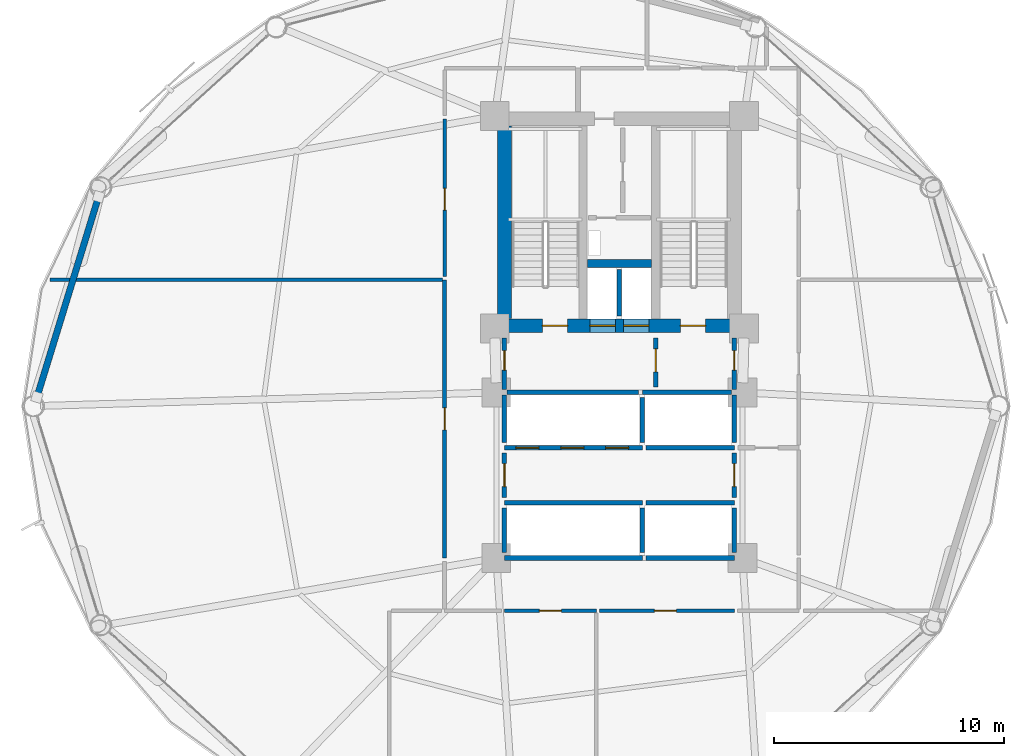
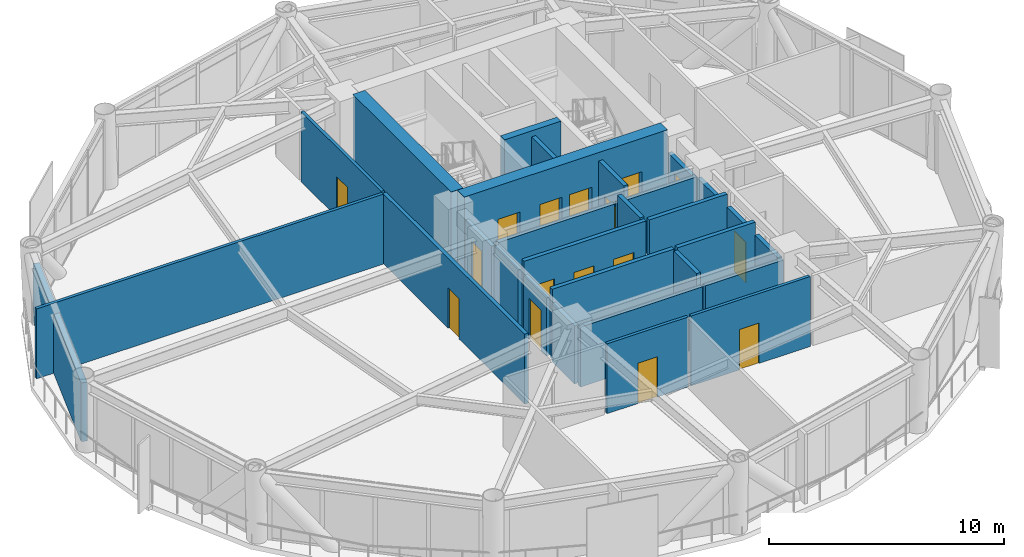
# One storey, part 22 of 26: 29 walls, 16 doors, 16 openings.
"""IFC4 building model written with IfcOpenShell, lengths in metres."""

from ifc_helpers import new_model, si_unit, direction, frame, frame_2d, origin, place, context, subcontext, project, spatial, rectangle, extrude, material, layer, layer_set, type_object, element, fill, save


model = new_model("IFC4")

# Units and contexts
model_context = context("Model", 3, precision=1e-05, world=origin(), true_north=direction((0.0, 1.0)))
body_context = subcontext(model_context, "Body", "Model", "MODEL_VIEW")
ifc_project = project(units=[si_unit("LENGTHUNIT", "METRE"), si_unit("AREAUNIT", "SQUARE_METRE"), si_unit("VOLUMEUNIT", "CUBIC_METRE"), si_unit("PLANEANGLEUNIT", "RADIAN"), si_unit("MASSUNIT", "GRAM", prefix="KILO")], contexts=[model_context])

# Site, building, storey
site_placement = place(None, origin())
site = spatial("IfcSite", under=ifc_project, at=site_placement, CompositionType="ELEMENT")
building_placement = place(site_placement, origin())
building = spatial("IfcBuilding", under=site, at=building_placement, Name="Varnakorn Sky Granary", CompositionType="ELEMENT")
storey_placement = place(building_placement, frame((0.0, 0.0, 47.10009765625)))
storey = spatial("IfcBuildingStorey", under=building, at=storey_placement, Name="L11", CompositionType="ELEMENT", Elevation=47.10009765625)

# Wall
ifc_material_1 = material(Name="Concrete C50/60", Category="concrete")
ifc_layer_1 = layer(ifc_material_1, 0.35009765625, Name="Concrete C50/60")
ifc_layer_set_1 = layer_set([ifc_layer_1], Name="Concrete C50/60")
wall_type_1 = type_object("IfcWallType", Name="WT-CW-INT-350", PredefinedType="SHEAR", material=ifc_layer_set_1)
wall_1_placement = place(storey_placement, frame((1.610107421875, 6.199951171875, 0.0), z_axis=(0.0, 0.0, 1.0), x_axis=(1.0, 0.0, 0.0)))
element("IfcWall", 1, at=wall_1_placement, inside=storey, type_object=wall_type_1, Name="Core Lift Shaft Cross Wall L11", PredefinedType="SHEAR", context=body_context, shape_type="SweptSolid", body=[
    extrude(rectangle(XDim=2.77978515625, YDim=0.35009765625, at=frame_2d((1.389892578125, 0.0))), origin(), (0.0, 0.0, 1.0), 3.891845703125),
])

# Wall, openings, doors
ifc_material_2 = material(Name="Concrete C60/75", Category="concrete")
ifc_layer_2 = layer(ifc_material_2, 0.60009765625, Name="Concrete C60/75")
ifc_layer_set_2 = layer_set([ifc_layer_2], Name="Concrete C60/75")
wall_type_2 = type_object("IfcWallType", Name="WT-CW-SHEAR-600", PredefinedType="SHEAR", material=ifc_layer_set_2)
wall_2_placement = place(storey_placement, frame((-2.0, 3.5, 0.0), z_axis=(0.0, 0.0, 1.0), x_axis=(1.0, 0.0, 0.0)))
wall_2 = element("IfcWall", 2, at=wall_2_placement, inside=storey, type_object=wall_type_2, Name="Core South Shear Wall L11", PredefinedType="SHEAR", context=body_context, shape_type="SweptSolid", body=[
    extrude(rectangle(XDim=10.0, YDim=0.60009765625, at=frame_2d((5.0, 0.0))), origin(), (0.0, 0.0, 1.0), 3.891845703125),
])
opening_1_placement = place(wall_2_placement, frame((1.64990234375, 0.0, 0.0)))
opening_1 = element("IfcOpeningElement", 3, at=opening_1_placement, cuts=wall_2, Name="Opening FD-90", PredefinedType="OPENING", context=body_context, shape_type="SweptSolid", body=[
    extrude(rectangle(XDim=1.10009765625, YDim=2.14990234375, at=frame_2d((0.550048828125, 1.074951171875))), frame((0.0, 0.31005859375, 0.0), z_axis=(0.0, -1.0, 0.0), x_axis=(1.0, 0.0, 0.0)), (0.0, 0.0, 1.0), 0.6201171875),
])
opening_2_placement = place(wall_2_placement, frame((7.64990234375, 0.0, 0.0)))
opening_2 = element("IfcOpeningElement", 4, at=opening_2_placement, cuts=wall_2, Name="Opening FD-90", PredefinedType="OPENING", context=body_context, shape_type="SweptSolid", body=[
    extrude(rectangle(XDim=1.10009765625, YDim=2.14990234375, at=frame_2d((0.550048828125, 1.074951171875))), frame((0.0, 0.31005859375, 0.0), z_axis=(0.0, -1.0, 0.0), x_axis=(1.0, 0.0, 0.0)), (0.0, 0.0, 1.0), 0.6201171875),
])
opening_3_placement = place(wall_2_placement, frame((3.719970703125, 0.0, 0.0)))
opening_3 = element("IfcOpeningElement", 5, at=opening_3_placement, cuts=wall_2, Name="Opening LD-01", PredefinedType="OPENING", context=body_context, shape_type="SweptSolid", body=[
    extrude(rectangle(XDim=1.10009765625, YDim=2.199951171875, at=frame_2d((0.550048828125, 1.10009765625))), frame((0.0, 0.31005859375, 0.0), z_axis=(0.0, -1.0, 0.0), x_axis=(1.0, 0.0, 0.0)), (0.0, 0.0, 1.0), 0.6201171875),
])
opening_4_placement = place(wall_2_placement, frame((5.179931640625, 0.0, 0.0)))
opening_4 = element("IfcOpeningElement", 6, at=opening_4_placement, cuts=wall_2, Name="Opening LD-01", PredefinedType="OPENING", context=body_context, shape_type="SweptSolid", body=[
    extrude(rectangle(XDim=1.10009765625, YDim=2.199951171875, at=frame_2d((0.550048828125, 1.10009765625))), frame((0.0, 0.31005859375, 0.0), z_axis=(0.0, -1.0, 0.0), x_axis=(1.0, 0.0, 0.0)), (0.0, 0.0, 1.0), 0.6201171875),
])
ifc_material_3 = material(Name="Brushed Bronze Stainless Steel", Category="steel")
door_type_1 = type_object("IfcDoorType", Name="DR-LD-1100", OperationType="DOUBLE_DOOR_SLIDING", PredefinedType="DOOR", material=ifc_material_3)
door_1_placement = place(opening_3_placement, origin())
door_1 = element("IfcDoor", 7, at=door_1_placement, inside=storey, type_object=door_type_1, Name="Firefighting Lift FFL-1 Landing Door L11", OperationType="DOUBLE_DOOR_SLIDING", OverallHeight=2.199951171875, OverallWidth=1.10009765625, PredefinedType="DOOR", context=body_context, shape_type="SweptSolid", body=[
    extrude(rectangle(XDim=1.10009765625, YDim=2.199951171875, at=frame_2d((0.550048828125, 1.10009765625))), frame((0.0, 0.02490234375, 0.0), z_axis=(0.0, -1.0, 0.0), x_axis=(1.0, 0.0, 0.0)), (0.0, 0.0, 1.0), 0.050048828125),
])
fill(opening_3, door_1)
door_2_placement = place(opening_4_placement, origin())
door_2 = element("IfcDoor", 8, at=door_2_placement, inside=storey, type_object=door_type_1, Name="Firefighting Lift FFL-2 Landing Door L11", OperationType="DOUBLE_DOOR_SLIDING", OverallHeight=2.199951171875, OverallWidth=1.10009765625, PredefinedType="DOOR", context=body_context, shape_type="SweptSolid", body=[
    extrude(rectangle(XDim=1.10009765625, YDim=2.199951171875, at=frame_2d((0.550048828125, 1.10009765625))), frame((0.0, 0.02490234375, 0.0), z_axis=(0.0, -1.0, 0.0), x_axis=(1.0, 0.0, 0.0)), (0.0, 0.0, 1.0), 0.050048828125),
])
fill(opening_4, door_2)
ifc_material_4 = material(Name="Galvanised Painted Steel Leaf", Category="steel")
door_type_2 = type_object("IfcDoorType", Name="DR-STAIR-1100", OperationType="NOTDEFINED", PredefinedType="DOOR", material=ifc_material_4)
door_3_placement = place(opening_1_placement, origin())
door_3 = element("IfcDoor", 9, at=door_3_placement, inside=storey, type_object=door_type_2, Name="Stair ST-1 Protected Fire Door L11", OperationType="SINGLE_SWING_LEFT", OverallHeight=2.14990234375, OverallWidth=1.10009765625, PredefinedType="DOOR", context=body_context, shape_type="SweptSolid", body=[
    extrude(rectangle(XDim=1.10009765625, YDim=2.14990234375, at=frame_2d((0.550048828125, 1.074951171875))), frame((0.0, 0.02490234375, 0.0), z_axis=(0.0, -1.0, 0.0), x_axis=(1.0, 0.0, 0.0)), (0.0, 0.0, 1.0), 0.050048828125),
])
fill(opening_1, door_3)
door_4_placement = place(opening_2_placement, origin())
door_4 = element("IfcDoor", 10, at=door_4_placement, inside=storey, type_object=door_type_2, Name="Stair ST-2 Protected Fire Door L11", OperationType="SINGLE_SWING_RIGHT", OverallHeight=2.14990234375, OverallWidth=1.10009765625, PredefinedType="DOOR", context=body_context, shape_type="SweptSolid", body=[
    extrude(rectangle(XDim=1.10009765625, YDim=2.14990234375, at=frame_2d((0.550048828125, 1.074951171875))), frame((0.0, 0.02490234375, 0.0), z_axis=(0.0, -1.0, 0.0), x_axis=(1.0, 0.0, 0.0)), (0.0, 0.0, 1.0), 0.050048828125),
])
fill(opening_2, door_4)

# Walls
wall_3_placement = place(storey_placement, frame((-2.0, 3.81005859375, 0.0), z_axis=(0.0, 0.0, 1.0), x_axis=(0.0, 1.0, 0.0)))
element("IfcWall", 11, at=wall_3_placement, inside=storey, type_object=wall_type_2, Name="Core West Shear Wall L11", PredefinedType="SHEAR", context=body_context, shape_type="SweptSolid", body=[
    extrude(rectangle(XDim=8.3798828125, YDim=0.60009765625, at=frame_2d((4.18994140625, 0.0))), origin(), (0.0, 0.0, 1.0), 3.891845703125),
])
ifc_material_5 = material(Name="Precast concrete C40/50", Category="concrete")
ifc_layer_3 = layer(ifc_material_5, 0.280029296875, Name="Precast concrete C40/50")
ifc_layer_set_3 = layer_set([ifc_layer_3], Name="Precast concrete C40/50")
wall_type_3 = type_object("IfcWallType", Name="WT-EW-CRN-280", PredefinedType="SOLIDWALL", material=ifc_layer_set_3)
wall_4_placement = place(storey_placement, frame((-22.328857421875, 0.393798828125, 0.0), z_axis=(0.0, 0.0, 1.0), x_axis=(0.293918478213, 0.955830491335, 0.0)))
element("IfcWall", 12, at=wall_4_placement, inside=storey, type_object=wall_type_3, Name="Agritech Insulated Precast Facade Wall L11-P06", PredefinedType="SOLIDWALL", context=body_context, shape_type="SweptSolid", body=[
    extrude(rectangle(XDim=9.123046875, YDim=0.280029296875, at=frame_2d((4.5615234375, 0.0))), origin(), (0.0, 0.0, 1.0), 3.059814453125),
])

# Wall, opening, door
ifc_material_6 = material(Name="Autoclaved Aerated Concrete Blockwork", Category="masonry")
ifc_layer_4 = layer(ifc_material_6, 0.199951171875, Name="Autoclaved Aerated Concrete Blockwork")
ifc_layer_set_4 = layer_set([ifc_layer_4], Name="Autoclaved Aerated Concrete Blockwork")
wall_type_4 = type_object("IfcWallType", Name="WT-FIRE-200", PredefinedType="MOVABLE", material=ifc_layer_set_4)
wall_5_placement = place(storey_placement, frame((4.580078125, 0.830078125, 0.0), z_axis=(0.0, 0.0, 1.0), x_axis=(0.0, 1.0, 0.0)))
wall_5 = element("IfcWall", 13, at=wall_5_placement, inside=storey, type_object=wall_type_4, Name="Interior Partition Wall L11-017", PredefinedType="MOVABLE", context=body_context, shape_type="SweptSolid", body=[
    extrude(rectangle(XDim=2.139892578125, YDim=0.199951171875, at=frame_2d((1.06982421875, 0.0))), origin(), (0.0, 0.0, 1.0), 3.639892578125),
])
opening_5_placement = place(wall_5_placement, frame((0.659912109375, 0.0, 0.0)))
opening_5 = element("IfcOpeningElement", 14, at=opening_5_placement, cuts=wall_5, Name="Opening FD-60", PredefinedType="OPENING", context=body_context, shape_type="SweptSolid", body=[
    extrude(rectangle(XDim=1.0, YDim=2.10009765625, at=frame_2d((0.5, 1.050048828125))), frame((0.0, 0.10986328125, 0.0), z_axis=(0.0, -1.0, 0.0), x_axis=(1.0, 0.0, 0.0)), (0.0, 0.0, 1.0), 0.219970703125),
])
ifc_material_7 = material(Name="Acoustic Timber Fire Leaf", Category="wood")
door_type_3 = type_object("IfcDoorType", Name="DR-FD60-1000", OperationType="NOTDEFINED", PredefinedType="DOOR", material=ifc_material_7)
door_5_placement = place(opening_5_placement, origin())
door_5 = element("IfcDoor", 15, at=door_5_placement, inside=storey, type_object=door_type_3, Name="Interior Door L11-017-1", OperationType="SINGLE_SWING_RIGHT", OverallHeight=2.10009765625, OverallWidth=1.0, PredefinedType="DOOR", context=body_context, shape_type="SweptSolid", body=[
    extrude(rectangle(XDim=1.0, YDim=2.10009765625, at=frame_2d((0.5, 1.050048828125))), frame((0.0, 0.02490234375, 0.0), z_axis=(0.0, -1.0, 0.0), x_axis=(1.0, 0.0, 0.0)), (0.0, 0.0, 1.0), 0.050048828125),
])
fill(opening_5, door_5)

wall_6_placement = place(storey_placement, frame((-2.0, 0.719970703125, 0.0), z_axis=(0.0, 0.0, 1.0), x_axis=(0.0, 1.0, 0.0)))
wall_6 = element("IfcWall", 16, at=wall_6_placement, inside=storey, type_object=wall_type_4, Name="Interior Partition Wall L11-018", PredefinedType="MOVABLE", context=body_context, shape_type="SweptSolid", body=[
    extrude(rectangle(XDim=2.25, YDim=0.199951171875, at=frame_2d((1.125, 0.0))), origin(), (0.0, 0.0, 1.0), 2.871826171875),
])
opening_6_placement = place(wall_6_placement, frame((0.844970703125, 0.0, 0.0)))
opening_6 = element("IfcOpeningElement", 17, at=opening_6_placement, cuts=wall_6, Name="Opening FD-60N", PredefinedType="OPENING", context=body_context, shape_type="SweptSolid", body=[
    extrude(rectangle(XDim=0.85009765625, YDim=2.10009765625, at=frame_2d((0.425048828125, 1.050048828125))), frame((0.0, 0.10986328125, 0.0), z_axis=(0.0, -1.0, 0.0), x_axis=(1.0, 0.0, 0.0)), (0.0, 0.0, 1.0), 0.219970703125),
])
door_type_4 = type_object("IfcDoorType", Name="DR-FD60-850", OperationType="NOTDEFINED", PredefinedType="DOOR", material=ifc_material_7)
door_6_placement = place(opening_6_placement, origin())
door_6 = element("IfcDoor", 18, at=door_6_placement, inside=storey, type_object=door_type_4, Name="Interior Door L11-018-1", OperationType="SINGLE_SWING_LEFT", OverallHeight=2.10009765625, OverallWidth=0.85009765625, PredefinedType="DOOR", context=body_context, shape_type="SweptSolid", body=[
    extrude(rectangle(XDim=0.85009765625, YDim=2.10009765625, at=frame_2d((0.425048828125, 1.050048828125))), frame((0.0, 0.02490234375, 0.0), z_axis=(0.0, -1.0, 0.0), x_axis=(1.0, 0.0, 0.0)), (0.0, 0.0, 1.0), 0.050048828125),
])
fill(opening_6, door_6)

wall_7_placement = place(storey_placement, frame((8.0, 0.719970703125, 0.0), z_axis=(0.0, 0.0, 1.0), x_axis=(0.0, 1.0, 0.0)))
wall_7 = element("IfcWall", 19, at=wall_7_placement, inside=storey, type_object=wall_type_4, Name="Interior Partition Wall L11-019", PredefinedType="MOVABLE", context=body_context, shape_type="SweptSolid", body=[
    extrude(rectangle(XDim=2.25, YDim=0.199951171875, at=frame_2d((1.125, 0.0))), origin(), (0.0, 0.0, 1.0), 2.871826171875),
])
opening_7_placement = place(wall_7_placement, frame((0.844970703125, 0.0, 0.0)))
opening_7 = element("IfcOpeningElement", 20, at=opening_7_placement, cuts=wall_7, Name="Opening FD-60N", PredefinedType="OPENING", context=body_context, shape_type="SweptSolid", body=[
    extrude(rectangle(XDim=0.85009765625, YDim=2.10009765625, at=frame_2d((0.425048828125, 1.050048828125))), frame((0.0, 0.10986328125, 0.0), z_axis=(0.0, -1.0, 0.0), x_axis=(1.0, 0.0, 0.0)), (0.0, 0.0, 1.0), 0.219970703125),
])
door_7_placement = place(opening_7_placement, origin())
door_7 = element("IfcDoor", 21, at=door_7_placement, inside=storey, type_object=door_type_4, Name="Interior Door L11-019-1", OperationType="SINGLE_SWING_RIGHT", OverallHeight=2.10009765625, OverallWidth=0.85009765625, PredefinedType="DOOR", context=body_context, shape_type="SweptSolid", body=[
    extrude(rectangle(XDim=0.85009765625, YDim=2.10009765625, at=frame_2d((0.425048828125, 1.050048828125))), frame((0.0, 0.02490234375, 0.0), z_axis=(0.0, -1.0, 0.0), x_axis=(1.0, 0.0, 0.0)), (0.0, 0.0, 1.0), 0.050048828125),
])
fill(opening_7, door_7)

wall_8_placement = place(storey_placement, frame((-2.0, -3.969970703125, 0.0), z_axis=(0.0, 0.0, 1.0), x_axis=(0.0, 1.0, 0.0)))
wall_8 = element("IfcWall", 22, at=wall_8_placement, inside=storey, type_object=wall_type_4, Name="Interior Partition Wall L11-020", PredefinedType="MOVABLE", context=body_context, shape_type="SweptSolid", body=[
    extrude(rectangle(XDim=1.93994140625, YDim=0.199951171875, at=frame_2d((0.969970703125, 0.0))), origin(), (0.0, 0.0, 1.0), 3.02197265625),
])
opening_8_placement = place(wall_8_placement, frame((0.469970703125, 0.0, 0.0)))
opening_8 = element("IfcOpeningElement", 23, at=opening_8_placement, cuts=wall_8, Name="Opening FD-60", PredefinedType="OPENING", context=body_context, shape_type="SweptSolid", body=[
    extrude(rectangle(XDim=1.0, YDim=2.10009765625, at=frame_2d((0.5, 1.050048828125))), frame((0.0, 0.10986328125, 0.0), z_axis=(0.0, -1.0, 0.0), x_axis=(1.0, 0.0, 0.0)), (0.0, 0.0, 1.0), 0.219970703125),
])
door_8_placement = place(opening_8_placement, origin())
door_8 = element("IfcDoor", 24, at=door_8_placement, inside=storey, type_object=door_type_3, Name="Interior Door L11-020-1", OperationType="SINGLE_SWING_LEFT", OverallHeight=2.10009765625, OverallWidth=1.0, PredefinedType="DOOR", context=body_context, shape_type="SweptSolid", body=[
    extrude(rectangle(XDim=1.0, YDim=2.10009765625, at=frame_2d((0.5, 1.050048828125))), frame((0.0, 0.02490234375, 0.0), z_axis=(0.0, -1.0, 0.0), x_axis=(1.0, 0.0, 0.0)), (0.0, 0.0, 1.0), 0.050048828125),
])
fill(opening_8, door_8)

wall_9_placement = place(storey_placement, frame((8.0, -3.969970703125, 0.0), z_axis=(0.0, 0.0, 1.0), x_axis=(0.0, 1.0, 0.0)))
wall_9 = element("IfcWall", 25, at=wall_9_placement, inside=storey, type_object=wall_type_4, Name="Interior Partition Wall L11-021", PredefinedType="MOVABLE", context=body_context, shape_type="SweptSolid", body=[
    extrude(rectangle(XDim=1.93994140625, YDim=0.199951171875, at=frame_2d((0.969970703125, 0.0))), origin(), (0.0, 0.0, 1.0), 3.072021484375),
])
opening_9_placement = place(wall_9_placement, frame((0.469970703125, 0.0, 0.0)))
opening_9 = element("IfcOpeningElement", 26, at=opening_9_placement, cuts=wall_9, Name="Opening FD-60", PredefinedType="OPENING", context=body_context, shape_type="SweptSolid", body=[
    extrude(rectangle(XDim=1.0, YDim=2.10009765625, at=frame_2d((0.5, 1.050048828125))), frame((0.0, 0.10986328125, 0.0), z_axis=(0.0, -1.0, 0.0), x_axis=(1.0, 0.0, 0.0)), (0.0, 0.0, 1.0), 0.219970703125),
])
door_9_placement = place(opening_9_placement, origin())
door_9 = element("IfcDoor", 27, at=door_9_placement, inside=storey, type_object=door_type_3, Name="Interior Door L11-021-1", OperationType="SINGLE_SWING_RIGHT", OverallHeight=2.10009765625, OverallWidth=1.0, PredefinedType="DOOR", context=body_context, shape_type="SweptSolid", body=[
    extrude(rectangle(XDim=1.0, YDim=2.10009765625, at=frame_2d((0.5, 1.050048828125))), frame((0.0, 0.02490234375, 0.0), z_axis=(0.0, -1.0, 0.0), x_axis=(1.0, 0.0, 0.0)), (0.0, 0.0, 1.0), 0.050048828125),
])
fill(opening_9, door_9)

# Wall
wall_10_placement = place(storey_placement, frame((-1.8798828125, 0.60009765625, 0.0), z_axis=(0.0, 0.0, 1.0), x_axis=(1.0, 0.0, 0.0)))
element("IfcWall", 28, at=wall_10_placement, inside=storey, type_object=wall_type_4, Name="Interior Partition Wall L11-030", PredefinedType="MOVABLE", context=body_context, shape_type="SweptSolid", body=[
    extrude(rectangle(XDim=5.719970703125, YDim=0.199951171875, at=frame_2d((2.85986328125, 0.0))), origin(), (0.0, 0.0, 1.0), 3.121826171875),
])

# Wall, opening, door
ifc_material_8 = material(Name="Gypsum Plasterboard on Steel Stud", Category="steel")
ifc_layer_5 = layer(ifc_material_8, 0.14990234375, Name="Gypsum Plasterboard on Steel Stud")
ifc_layer_set_5 = layer_set([ifc_layer_5], Name="Gypsum Plasterboard on Steel Stud")
wall_type_5 = type_object("IfcWallType", Name="WT-PART-150", PredefinedType="PARTITIONING", material=ifc_layer_set_5)
wall_11_placement = place(storey_placement, frame((-2.0, -8.89990234375, 0.0), z_axis=(0.0, 0.0, 1.0), x_axis=(1.0, 0.0, 0.0)))
wall_11 = element("IfcWall", 29, at=wall_11_placement, inside=storey, type_object=wall_type_5, Name="Interior Partition Wall L11-024", PredefinedType="PARTITIONING", context=body_context, shape_type="SweptSolid", body=[
    extrude(rectangle(XDim=4.0, YDim=0.14990234375, at=frame_2d((2.0, 0.0))), origin(), (0.0, 0.0, 1.0), 3.639892578125),
])
opening_10_placement = place(wall_11_placement, frame((1.52490234375, 0.0, 0.0)))
opening_10 = element("IfcOpeningElement", 30, at=opening_10_placement, cuts=wall_11, Name="Opening ID-95", PredefinedType="OPENING", context=body_context, shape_type="SweptSolid", body=[
    extrude(rectangle(XDim=0.949951171875, YDim=2.10009765625, at=frame_2d((0.47509765625, 1.050048828125))), frame((0.0, 0.0849609375, 0.0), z_axis=(0.0, -1.0, 0.0), x_axis=(1.0, 0.0, 0.0)), (0.0, 0.0, 1.0), 0.169921875),
])
ifc_material_9 = material(Name="Solid-Core Teak Veneer Leaf", Category="timber")
door_type_5 = type_object("IfcDoorType", Name="DR-INT-950", OperationType="NOTDEFINED", PredefinedType="DOOR", material=ifc_material_9)
door_10_placement = place(opening_10_placement, origin())
door_10 = element("IfcDoor", 31, at=door_10_placement, inside=storey, type_object=door_type_5, Name="Interior Door L11-024-1", OperationType="SINGLE_SWING_LEFT", OverallHeight=2.10009765625, OverallWidth=0.949951171875, PredefinedType="DOOR", context=body_context, shape_type="SweptSolid", body=[
    extrude(rectangle(XDim=0.949951171875, YDim=2.10009765625, at=frame_2d((0.47509765625, 1.050048828125))), frame((0.0, 0.02490234375, 0.0), z_axis=(0.0, -1.0, 0.0), x_axis=(1.0, 0.0, 0.0)), (0.0, 0.0, 1.0), 0.050048828125),
])
fill(opening_10, door_10)

wall_12_placement = place(storey_placement, frame((2.135009765625, -8.89990234375, 0.0), z_axis=(0.0, 0.0, 1.0), x_axis=(1.0, 0.0, 0.0)))
wall_12 = element("IfcWall", 32, at=wall_12_placement, inside=storey, type_object=wall_type_5, Name="Interior Partition Wall L11-025", PredefinedType="PARTITIONING", context=body_context, shape_type="SweptSolid", body=[
    extrude(rectangle(XDim=5.864990234375, YDim=0.14990234375, at=frame_2d((2.9326171875, 0.0))), origin(), (0.0, 0.0, 1.0), 3.639892578125),
])
opening_11_placement = place(wall_12_placement, frame((2.389892578125, 0.0, 0.0)))
opening_11 = element("IfcOpeningElement", 33, at=opening_11_placement, cuts=wall_12, Name="Opening ID-95", PredefinedType="OPENING", context=body_context, shape_type="SweptSolid", body=[
    extrude(rectangle(XDim=0.949951171875, YDim=2.10009765625, at=frame_2d((0.47509765625, 1.050048828125))), frame((0.0, 0.0849609375, 0.0), z_axis=(0.0, -1.0, 0.0), x_axis=(1.0, 0.0, 0.0)), (0.0, 0.0, 1.0), 0.169921875),
])
door_11_placement = place(opening_11_placement, origin())
door_11 = element("IfcDoor", 34, at=door_11_placement, inside=storey, type_object=door_type_5, Name="Interior Door L11-025-1", OperationType="SINGLE_SWING_RIGHT", OverallHeight=2.10009765625, OverallWidth=0.949951171875, PredefinedType="DOOR", context=body_context, shape_type="SweptSolid", body=[
    extrude(rectangle(XDim=0.949951171875, YDim=2.10009765625, at=frame_2d((0.47509765625, 1.050048828125))), frame((0.0, 0.02490234375, 0.0), z_axis=(0.0, -1.0, 0.0), x_axis=(1.0, 0.0, 0.0)), (0.0, 0.0, 1.0), 0.050048828125),
])
fill(opening_11, door_11)

wall_13_placement = place(storey_placement, frame((-4.60009765625, 12.5, 0.0), z_axis=(0.0, 0.0, 1.0), x_axis=(0.0, -1.0, 0.0)))
wall_13 = element("IfcWall", 35, at=wall_13_placement, inside=storey, type_object=wall_type_5, Name="Interior Partition Wall L11-028", PredefinedType="PARTITIONING", context=body_context, shape_type="SweptSolid", body=[
    extrude(rectangle(XDim=6.85009765625, YDim=0.14990234375, at=frame_2d((3.425048828125, 0.0))), origin(), (0.0, 0.0, 1.0), 3.639892578125),
])
opening_12_placement = place(wall_13_placement, frame((3.02490234375, 0.0, 0.0)))
opening_12 = element("IfcOpeningElement", 36, at=opening_12_placement, cuts=wall_13, Name="Opening ID-95", PredefinedType="OPENING", context=body_context, shape_type="SweptSolid", body=[
    extrude(rectangle(XDim=0.949951171875, YDim=2.10009765625, at=frame_2d((0.47509765625, 1.050048828125))), frame((0.0, 0.0849609375, 0.0), z_axis=(0.0, -1.0, 0.0), x_axis=(1.0, 0.0, 0.0)), (0.0, 0.0, 1.0), 0.169921875),
])
door_12_placement = place(opening_12_placement, origin())
door_12 = element("IfcDoor", 37, at=door_12_placement, inside=storey, type_object=door_type_5, Name="Interior Door L11-028-1", OperationType="SINGLE_SWING_LEFT", OverallHeight=2.10009765625, OverallWidth=0.949951171875, PredefinedType="DOOR", context=body_context, shape_type="SweptSolid", body=[
    extrude(rectangle(XDim=0.949951171875, YDim=2.10009765625, at=frame_2d((0.47509765625, 1.050048828125))), frame((0.0, 0.02490234375, 0.0), z_axis=(0.0, -1.0, 0.0), x_axis=(1.0, 0.0, 0.0)), (0.0, 0.0, 1.0), 0.050048828125),
])
fill(opening_12, door_12)

# Wall
wall_14_placement = place(storey_placement, frame((-21.76708984375, 5.5, 0.0), z_axis=(0.0, 0.0, 1.0), x_axis=(1.0, 0.0, 0.0)))
element("IfcWall", 38, at=wall_14_placement, inside=storey, type_object=wall_type_5, Name="Interior Partition Wall L11-040", PredefinedType="PARTITIONING", context=body_context, shape_type="SweptSolid", body=[
    extrude(rectangle(XDim=17.067138671875, YDim=0.14990234375, at=frame_2d((8.53369140625, 0.0))), origin(), (0.0, 0.0, 1.0), 3.639892578125),
])

# Wall, opening, door
ifc_material_10 = material(Name="Moisture-Resistant Gypsum on Stud", Category="gypsum")
ifc_layer_6 = layer(ifc_material_10, 0.179931640625, Name="Moisture-Resistant Gypsum on Stud")
ifc_layer_set_6 = layer_set([ifc_layer_6], Name="Moisture-Resistant Gypsum on Stud")
wall_type_6 = type_object("IfcWallType", Name="WT-PLUMB-180", PredefinedType="PLUMBINGWALL", material=ifc_layer_set_6)
wall_15_placement = place(storey_placement, frame((-4.60009765625, 5.5, 0.0), z_axis=(0.0, 0.0, 1.0), x_axis=(0.0, -1.0, 0.0)))
wall_15 = element("IfcWall", 39, at=wall_15_placement, inside=storey, type_object=wall_type_6, Name="Interior Partition Wall L11-026", PredefinedType="PLUMBINGWALL", context=body_context, shape_type="SweptSolid", body=[
    extrude(rectangle(XDim=12.10009765625, YDim=0.179931640625, at=frame_2d((6.050048828125, 0.0))), origin(), (0.0, 0.0, 1.0), 3.639892578125),
])
opening_13_placement = place(wall_15_placement, frame((5.574951171875, 0.0, 0.0)))
opening_13 = element("IfcOpeningElement", 40, at=opening_13_placement, cuts=wall_15, Name="Opening ID-95", PredefinedType="OPENING", context=body_context, shape_type="SweptSolid", body=[
    extrude(rectangle(XDim=0.949951171875, YDim=2.10009765625, at=frame_2d((0.47509765625, 1.050048828125))), frame((0.0, 0.10009765625, 0.0), z_axis=(0.0, -1.0, 0.0), x_axis=(1.0, 0.0, 0.0)), (0.0, 0.0, 1.0), 0.199951171875),
])
door_13_placement = place(opening_13_placement, origin())
door_13 = element("IfcDoor", 41, at=door_13_placement, inside=storey, type_object=door_type_5, Name="Interior Door L11-026-1", OperationType="SINGLE_SWING_LEFT", OverallHeight=2.10009765625, OverallWidth=0.949951171875, PredefinedType="DOOR", context=body_context, shape_type="SweptSolid", body=[
    extrude(rectangle(XDim=0.949951171875, YDim=2.10009765625, at=frame_2d((0.47509765625, 1.050048828125))), frame((0.0, 0.02490234375, 0.0), z_axis=(0.0, -1.0, 0.0), x_axis=(1.0, 0.0, 0.0)), (0.0, 0.0, 1.0), 0.050048828125),
])
fill(opening_13, door_13)

# Walls
ifc_layer_7 = layer(ifc_material_6, 0.199951171875, Name="Autoclaved Aerated Concrete Blockwork")
ifc_layer_set_7 = layer_set([ifc_layer_7], Name="Autoclaved Aerated Concrete Blockwork")
wall_type_7 = type_object("IfcWallType", Name="WT-SHAFT-200", PredefinedType="SOLIDWALL", material=ifc_layer_set_7)
wall_16_placement = place(storey_placement, frame((3.0, 3.919921875, 0.0), z_axis=(0.0, 0.0, 1.0), x_axis=(0.0, 1.0, 0.0)))
element("IfcWall", 42, at=wall_16_placement, inside=storey, type_object=wall_type_7, Name="Interior Partition Wall L11-001", PredefinedType="SOLIDWALL", context=body_context, shape_type="SweptSolid", body=[
    extrude(rectangle(XDim=2.030029296875, YDim=0.199951171875, at=frame_2d((1.01513671875, 0.0))), origin(), (0.0, 0.0, 1.0), 3.639892578125),
])
wall_17_placement = place(storey_placement, frame((4.0, 0.60009765625, 0.0), z_axis=(0.0, 0.0, 1.0), x_axis=(1.0, 0.0, 0.0)))
element("IfcWall", 43, at=wall_17_placement, inside=storey, type_object=wall_type_7, Name="Interior Partition Wall L11-002", PredefinedType="SOLIDWALL", context=body_context, shape_type="SweptSolid", body=[
    extrude(rectangle(XDim=3.8798828125, YDim=0.199951171875, at=frame_2d((1.93994140625, 0.0))), origin(), (0.0, 0.0, 1.0), 3.121826171875),
])

# Wall, openings, doors
wall_18_placement = place(storey_placement, frame((-2.0, -1.800048828125, 0.0), z_axis=(0.0, 0.0, 1.0), x_axis=(1.0, 0.0, 0.0)))
wall_18 = element("IfcWall", 44, at=wall_18_placement, inside=storey, type_object=wall_type_7, Name="Interior Partition Wall L11-003", PredefinedType="SOLIDWALL", context=body_context, shape_type="SweptSolid", body=[
    extrude(rectangle(XDim=6.0, YDim=0.199951171875, at=frame_2d((3.0, 0.0))), origin(), (0.0, 0.0, 1.0), 3.639892578125),
])
opening_14_placement = place(wall_18_placement, frame((0.5, 0.0, 0.0)))
opening_14 = element("IfcOpeningElement", 45, at=opening_14_placement, cuts=wall_18, Name="Opening LD-03", PredefinedType="OPENING", context=body_context, shape_type="SweptSolid", body=[
    extrude(rectangle(XDim=1.0, YDim=2.199951171875, at=frame_2d((0.5, 1.10009765625))), frame((0.0, 0.10986328125, 0.0), z_axis=(0.0, -1.0, 0.0), x_axis=(1.0, 0.0, 0.0)), (0.0, 0.0, 1.0), 0.219970703125),
])
opening_15_placement = place(wall_18_placement, frame((2.449951171875, 0.0, 0.0)))
opening_15 = element("IfcOpeningElement", 46, at=opening_15_placement, cuts=wall_18, Name="Opening LD-03", PredefinedType="OPENING", context=body_context, shape_type="SweptSolid", body=[
    extrude(rectangle(XDim=1.0, YDim=2.199951171875, at=frame_2d((0.5, 1.10009765625))), frame((0.0, 0.10986328125, 0.0), z_axis=(0.0, -1.0, 0.0), x_axis=(1.0, 0.0, 0.0)), (0.0, 0.0, 1.0), 0.219970703125),
])
opening_16_placement = place(wall_18_placement, frame((4.39990234375, 0.0, 0.0)))
opening_16 = element("IfcOpeningElement", 47, at=opening_16_placement, cuts=wall_18, Name="Opening LD-03", PredefinedType="OPENING", context=body_context, shape_type="SweptSolid", body=[
    extrude(rectangle(XDim=1.0, YDim=2.199951171875, at=frame_2d((0.5, 1.10009765625))), frame((0.0, 0.10986328125, 0.0), z_axis=(0.0, -1.0, 0.0), x_axis=(1.0, 0.0, 0.0)), (0.0, 0.0, 1.0), 0.219970703125),
])
door_type_6 = type_object("IfcDoorType", Name="DR-LD-1000", OperationType="DOUBLE_DOOR_SLIDING", PredefinedType="DOOR", material=ifc_material_3)
door_14_placement = place(opening_14_placement, origin())
door_14 = element("IfcDoor", 48, at=door_14_placement, inside=storey, type_object=door_type_6, Name="Passenger Lift PL-L1 Sliding Landing Door L11", OperationType="DOUBLE_DOOR_SLIDING", OverallHeight=2.199951171875, OverallWidth=1.0, PredefinedType="DOOR", context=body_context, shape_type="SweptSolid", body=[
    extrude(rectangle(XDim=1.0, YDim=2.199951171875, at=frame_2d((0.5, 1.10009765625))), frame((0.0, 0.02490234375, 0.0), z_axis=(0.0, -1.0, 0.0), x_axis=(1.0, 0.0, 0.0)), (0.0, 0.0, 1.0), 0.050048828125),
])
fill(opening_14, door_14)
door_15_placement = place(opening_15_placement, origin())
door_15 = element("IfcDoor", 49, at=door_15_placement, inside=storey, type_object=door_type_6, Name="Passenger Lift PL-L2 Sliding Landing Door L11", OperationType="DOUBLE_DOOR_SLIDING", OverallHeight=2.199951171875, OverallWidth=1.0, PredefinedType="DOOR", context=body_context, shape_type="SweptSolid", body=[
    extrude(rectangle(XDim=1.0, YDim=2.199951171875, at=frame_2d((0.5, 1.10009765625))), frame((0.0, 0.02490234375, 0.0), z_axis=(0.0, -1.0, 0.0), x_axis=(1.0, 0.0, 0.0)), (0.0, 0.0, 1.0), 0.050048828125),
])
fill(opening_15, door_15)
door_16_placement = place(opening_16_placement, origin())
door_16 = element("IfcDoor", 50, at=door_16_placement, inside=storey, type_object=door_type_6, Name="Passenger Lift PL-L3 Sliding Landing Door L11", OperationType="DOUBLE_DOOR_SLIDING", OverallHeight=2.199951171875, OverallWidth=1.0, PredefinedType="DOOR", context=body_context, shape_type="SweptSolid", body=[
    extrude(rectangle(XDim=1.0, YDim=2.199951171875, at=frame_2d((0.5, 1.10009765625))), frame((0.0, 0.02490234375, 0.0), z_axis=(0.0, -1.0, 0.0), x_axis=(1.0, 0.0, 0.0)), (0.0, 0.0, 1.0), 0.050048828125),
])
fill(opening_16, door_16)

# Walls
wall_19_placement = place(storey_placement, frame((-2.0, -1.570068359375, 0.0), z_axis=(0.0, 0.0, 1.0), x_axis=(0.0, 1.0, 0.0)))
element("IfcWall", 51, at=wall_19_placement, inside=storey, type_object=wall_type_7, Name="Interior Partition Wall L11-004", PredefinedType="SOLIDWALL", context=body_context, shape_type="SweptSolid", body=[
    extrude(rectangle(XDim=2.050048828125, YDim=0.199951171875, at=frame_2d((1.02490234375, 0.0))), origin(), (0.0, 0.0, 1.0), 3.02197265625),
])
wall_20_placement = place(storey_placement, frame((4.159912109375, -1.800048828125, 0.0), z_axis=(0.0, 0.0, 1.0), x_axis=(1.0, 0.0, 0.0)))
element("IfcWall", 52, at=wall_20_placement, inside=storey, type_object=wall_type_7, Name="Interior Partition Wall L11-005", PredefinedType="SOLIDWALL", context=body_context, shape_type="SweptSolid", body=[
    extrude(rectangle(XDim=3.840087890625, YDim=0.199951171875, at=frame_2d((1.919921875, 0.0))), origin(), (0.0, 0.0, 1.0), 3.639892578125),
])
wall_21_placement = place(storey_placement, frame((4.0, -1.570068359375, 0.0), z_axis=(0.0, 0.0, 1.0), x_axis=(0.0, 1.0, 0.0)))
element("IfcWall", 53, at=wall_21_placement, inside=storey, type_object=wall_type_7, Name="Interior Partition Wall L11-006", PredefinedType="SOLIDWALL", context=body_context, shape_type="SweptSolid", body=[
    extrude(rectangle(XDim=1.940185546875, YDim=0.199951171875, at=frame_2d((0.97021484375, 0.0))), origin(), (0.0, 0.0, 1.0), 3.639892578125),
])
wall_22_placement = place(storey_placement, frame((8.0, -1.570068359375, 0.0), z_axis=(0.0, 0.0, 1.0), x_axis=(0.0, 1.0, 0.0)))
element("IfcWall", 54, at=wall_22_placement, inside=storey, type_object=wall_type_7, Name="Interior Partition Wall L11-007", PredefinedType="SOLIDWALL", context=body_context, shape_type="SweptSolid", body=[
    extrude(rectangle(XDim=2.050048828125, YDim=0.199951171875, at=frame_2d((1.02490234375, 0.0))), origin(), (0.0, 0.0, 1.0), 3.072021484375),
])
wall_23_placement = place(storey_placement, frame((-2.0, -4.199951171875, 0.0), z_axis=(0.0, 0.0, 1.0), x_axis=(1.0, 0.0, 0.0)))
element("IfcWall", 55, at=wall_23_placement, inside=storey, type_object=wall_type_7, Name="Interior Partition Wall L11-008", PredefinedType="SOLIDWALL", context=body_context, shape_type="SweptSolid", body=[
    extrude(rectangle(XDim=6.0, YDim=0.199951171875, at=frame_2d((3.0, 0.0))), origin(), (0.0, 0.0, 1.0), 3.639892578125),
])
wall_24_placement = place(storey_placement, frame((-2.0, -6.60009765625, 0.0), z_axis=(0.0, 0.0, 1.0), x_axis=(1.0, 0.0, 0.0)))
element("IfcWall", 56, at=wall_24_placement, inside=storey, type_object=wall_type_7, Name="Interior Partition Wall L11-009", PredefinedType="SOLIDWALL", context=body_context, shape_type="SweptSolid", body=[
    extrude(rectangle(XDim=6.0, YDim=0.199951171875, at=frame_2d((3.0, 0.0))), origin(), (0.0, 0.0, 1.0), 3.121826171875),
])
wall_25_placement = place(storey_placement, frame((-2.0, -6.3701171875, 0.0), z_axis=(0.0, 0.0, 1.0), x_axis=(0.0, 1.0, 0.0)))
element("IfcWall", 57, at=wall_25_placement, inside=storey, type_object=wall_type_7, Name="Interior Partition Wall L11-010", PredefinedType="SOLIDWALL", context=body_context, shape_type="SweptSolid", body=[
    extrude(rectangle(XDim=1.940185546875, YDim=0.199951171875, at=frame_2d((0.97021484375, 0.0))), origin(), (0.0, 0.0, 1.0), 3.02197265625),
])
wall_26_placement = place(storey_placement, frame((4.159912109375, -4.199951171875, 0.0), z_axis=(0.0, 0.0, 1.0), x_axis=(1.0, 0.0, 0.0)))
element("IfcWall", 58, at=wall_26_placement, inside=storey, type_object=wall_type_7, Name="Interior Partition Wall L11-011", PredefinedType="SOLIDWALL", context=body_context, shape_type="SweptSolid", body=[
    extrude(rectangle(XDim=3.840087890625, YDim=0.199951171875, at=frame_2d((1.919921875, 0.0))), origin(), (0.0, 0.0, 1.0), 3.639892578125),
])
wall_27_placement = place(storey_placement, frame((4.159912109375, -6.60009765625, 0.0), z_axis=(0.0, 0.0, 1.0), x_axis=(1.0, 0.0, 0.0)))
element("IfcWall", 59, at=wall_27_placement, inside=storey, type_object=wall_type_7, Name="Interior Partition Wall L11-012", PredefinedType="SOLIDWALL", context=body_context, shape_type="SweptSolid", body=[
    extrude(rectangle(XDim=3.840087890625, YDim=0.199951171875, at=frame_2d((1.919921875, 0.0))), origin(), (0.0, 0.0, 1.0), 3.121826171875),
])
wall_28_placement = place(storey_placement, frame((4.0, -6.3701171875, 0.0), z_axis=(0.0, 0.0, 1.0), x_axis=(0.0, 1.0, 0.0)))
element("IfcWall", 60, at=wall_28_placement, inside=storey, type_object=wall_type_7, Name="Interior Partition Wall L11-013", PredefinedType="SOLIDWALL", context=body_context, shape_type="SweptSolid", body=[
    extrude(rectangle(XDim=1.940185546875, YDim=0.199951171875, at=frame_2d((0.97021484375, 0.0))), origin(), (0.0, 0.0, 1.0), 3.639892578125),
])
wall_29_placement = place(storey_placement, frame((8.0, -6.3701171875, 0.0), z_axis=(0.0, 0.0, 1.0), x_axis=(0.0, 1.0, 0.0)))
element("IfcWall", 61, at=wall_29_placement, inside=storey, type_object=wall_type_7, Name="Interior Partition Wall L11-014", PredefinedType="SOLIDWALL", context=body_context, shape_type="SweptSolid", body=[
    extrude(rectangle(XDim=1.940185546875, YDim=0.199951171875, at=frame_2d((0.97021484375, 0.0))), origin(), (0.0, 0.0, 1.0), 3.072021484375),
])

save(model, "model.ifc")
